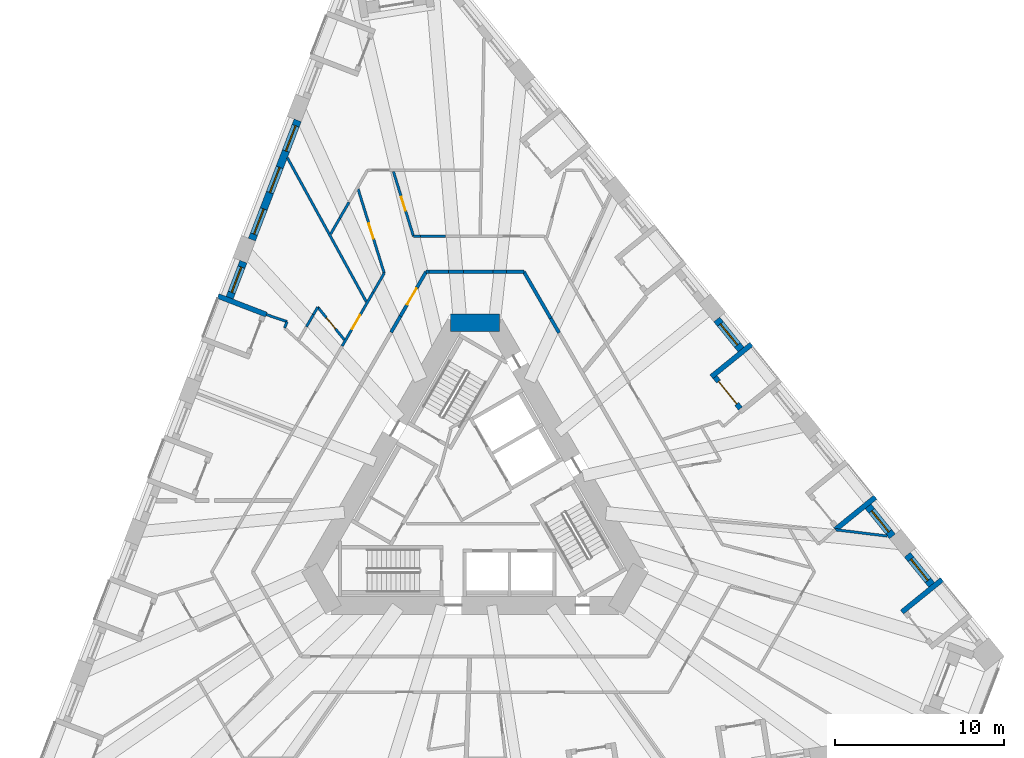
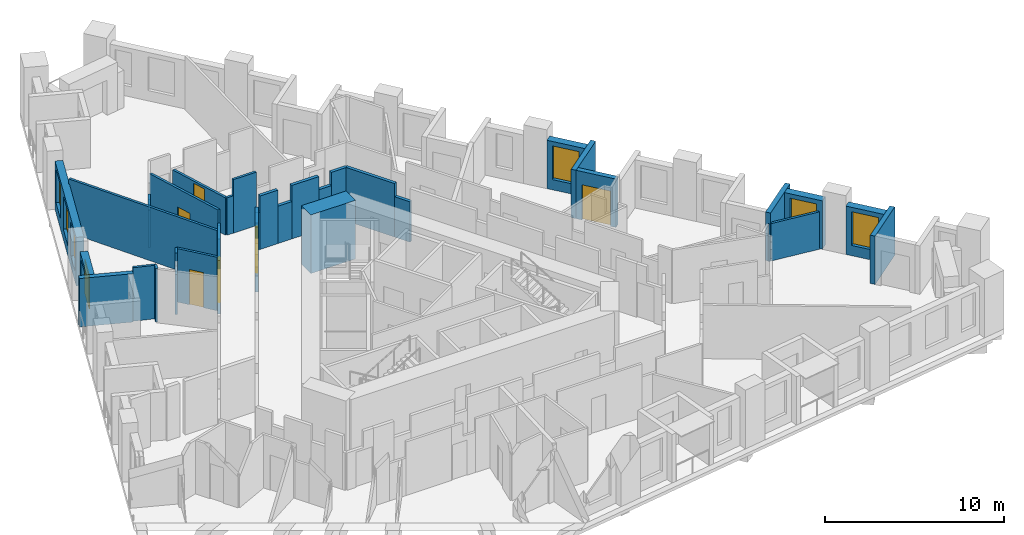
# One storey, part 8 of 14: 37 walls, 7 windows, 6 doors, 13 openings.
"""IFC4 building model written with IfcOpenShell, lengths in metres."""

from ifc_helpers import new_model, si_unit, direction, frame, frame_2d, origin, place, context, subcontext, project, spatial, rectangle, extrude, material, layer, layer_set, type_object, element, fill, save


model = new_model("IFC4")

# Units and contexts
model_context = context("Model", 3, precision=1e-05, world=origin(), true_north=direction((0.0, 1.0)))
body_context = subcontext(model_context, "Body", "Model", "MODEL_VIEW")
ifc_project = project(units=[si_unit("LENGTHUNIT", "METRE"), si_unit("AREAUNIT", "SQUARE_METRE"), si_unit("VOLUMEUNIT", "CUBIC_METRE"), si_unit("PLANEANGLEUNIT", "RADIAN"), si_unit("MASSUNIT", "GRAM", prefix="KILO")], contexts=[model_context])

# Site, building, storey
site_placement = place(None, origin())
site = spatial("IfcSite", under=ifc_project, at=site_placement, CompositionType="ELEMENT")
building_placement = place(site_placement, origin())
building = spatial("IfcBuilding", under=site, at=building_placement, Name="Tramontana Tower", CompositionType="ELEMENT")
storey_placement = place(building_placement, frame((0.0, 0.0, 71.199951171875)))
storey = spatial("IfcBuildingStorey", under=building, at=storey_placement, Name="L15", CompositionType="ELEMENT", Elevation=71.199951171875)

# Walls
ifc_material_1 = material(Name="Concrete 70 MPa", Category="concrete")
ifc_layer_1 = layer(ifc_material_1, 1.050048828125)
ifc_layer_set_1 = layer_set([ifc_layer_1], Name="Core wall 1050 70 MPa")
wall_type_1 = type_object("IfcWallType", Name="Core wall 1050 70 MPa", PredefinedType="SHEAR", material=ifc_layer_set_1)
wall_1_placement = place(storey_placement, frame((1.443359375, 10.47509765625, 0.0), z_axis=(0.0, 0.0, 1.0), x_axis=(-1.0, 0.0, 0.0)))
element("IfcWall", 1, at=wall_1_placement, inside=storey, type_object=wall_type_1, Name="Core wall C0 L15", PredefinedType="SHEAR", context=body_context, shape_type="SweptSolid", body=[
    extrude(rectangle(XDim=2.88671875, YDim=1.050048828125, at=frame_2d((1.443359375, 0.0))), origin(), (0.0, 0.0, 1.0), 4.0),
])
ifc_material_2 = material(Name="Blockwork", Category="masonry")
ifc_layer_2 = layer(ifc_material_2, 0.199951171875)
ifc_layer_set_2 = layer_set([ifc_layer_2], Name="ENTRY WALL 200")
wall_type_2 = type_object("IfcWallType", Name="ENTRY WALL 200", PredefinedType="SOLIDWALL", material=ifc_layer_set_2)
wall_2_placement = place(storey_placement, frame((2.88671875, 13.5, 0.0), z_axis=(0.0, 0.0, 1.0), x_axis=(0.50003154259, -0.866007191896, 0.0)))
element("IfcWall", 2, at=wall_2_placement, inside=storey, type_object=wall_type_2, Name="Wall v11-ew0-0", PredefinedType="SOLIDWALL", context=body_context, shape_type="SweptSolid", body=[
    extrude(rectangle(XDim=3.190673828125, YDim=0.199951171875, at=frame_2d((1.59521484375, 0.0))), origin(), (0.0, 0.0, 1.0), 3.650146484375),
])
wall_3_placement = place(storey_placement, frame((4.482177734375, 10.73681640625, 0.0), z_axis=(0.0, 0.0, 1.0), x_axis=(0.499966601515, -0.86604468555, 0.0)))
element("IfcWall", 3, at=wall_3_placement, inside=storey, type_object=wall_type_2, Name="Wall v11-ew0-1", PredefinedType="SOLIDWALL", context=body_context, shape_type="SweptSolid", body=[
    extrude(rectangle(XDim=0.98095703125, YDim=0.199951171875, at=frame_2d((0.490478515625, 0.0))), origin(), (0.0, 0.0, 1.0), 2.75),
])
wall_4_placement = place(storey_placement, frame((-4.95751953125, 9.913330078125, 0.0), z_axis=(0.0, 0.0, 1.0), x_axis=(0.499951133605, 0.866053614973, 0.0)))
element("IfcWall", 4, at=wall_4_placement, inside=storey, type_object=wall_type_2, Name="Wall v11-ew4-7", PredefinedType="SOLIDWALL", context=body_context, shape_type="SweptSolid", body=[
    extrude(rectangle(XDim=1.10888671875, YDim=0.199951171875, at=frame_2d((0.554443359375, 0.0))), origin(), (0.0, 0.0, 1.0), 2.550048828125),
])

# Wall, opening, door
wall_5_placement = place(storey_placement, frame((-4.403076171875, 10.873779296875, 0.0), z_axis=(0.0, 0.0, 1.0), x_axis=(0.500059920742, 0.865990805764, 0.0)))
wall_5 = element("IfcWall", 5, at=wall_5_placement, inside=storey, type_object=wall_type_2, Name="Wall v11-ew4-8", PredefinedType="SOLIDWALL", context=body_context, shape_type="SweptSolid", body=[
    extrude(rectangle(XDim=1.962158203125, YDim=0.199951171875, at=frame_2d((0.98095703125, 0.0))), origin(), (0.0, 0.0, 1.0), 3.650146484375),
])
opening_1_placement = place(wall_5_placement, frame((0.789306640625, 0.0, 0.0)))
opening_1 = element("IfcOpeningElement", 6, at=opening_1_placement, cuts=wall_5, Name="Opening B1B-29", PredefinedType="OPENING", context=body_context, shape_type="SweptSolid", body=[
    extrude(rectangle(XDim=1.10009765625, YDim=2.39990234375, at=frame_2d((0.550048828125, 1.199951171875))), frame((0.0, 0.10986328125, 0.0), z_axis=(0.0, -1.0, 0.0), x_axis=(1.0, 0.0, 0.0)), (0.0, 0.0, 1.0), 0.219970703125),
])
ifc_material_3 = material(Name="Painted timber", Category="wood")
door_type_1 = type_object("IfcDoorType", Name="DOOR ENTRY 1100", OperationType="SINGLE_SWING_LEFT", PredefinedType="DOOR", material=ifc_material_3)
door_1_placement = place(opening_1_placement, origin())
door_1 = element("IfcDoor", 7, at=door_1_placement, inside=storey, type_object=door_type_1, Name="Door B1B-29", OperationType="SINGLE_SWING_LEFT", OverallHeight=2.39990234375, OverallWidth=1.10009765625, PredefinedType="DOOR", context=body_context, shape_type="SweptSolid", body=[
    extrude(rectangle(XDim=1.10009765625, YDim=2.39990234375, at=frame_2d((0.550048828125, 1.199951171875))), frame((0.0, 0.02490234375, 0.0), z_axis=(0.0, -1.0, 0.0), x_axis=(1.0, 0.0, 0.0)), (0.0, 0.0, 1.0), 0.050048828125),
])
fill(opening_1, door_1)

# Walls
wall_6_placement = place(storey_placement, frame((-3.421875, 12.572998046875, 0.0), z_axis=(0.0, 0.0, 1.0), x_axis=(0.49996596245, 0.866045054481, 0.0)))
element("IfcWall", 8, at=wall_6_placement, inside=storey, type_object=wall_type_2, Name="Wall v11-ew4-9", PredefinedType="SOLIDWALL", context=body_context, shape_type="SweptSolid", body=[
    extrude(rectangle(XDim=1.0703125, YDim=0.199951171875, at=frame_2d((0.53515625, 0.0))), origin(), (0.0, 0.0, 1.0), 2.550048828125),
])
wall_7_placement = place(storey_placement, frame((-2.88671875, 13.5, 0.0), z_axis=(0.0, 0.0, 1.0), x_axis=(1.0, 0.0, 0.0)))
element("IfcWall", 9, at=wall_7_placement, inside=storey, type_object=wall_type_2, Name="Wall v11-ew5-0", PredefinedType="SOLIDWALL", context=body_context, shape_type="SweptSolid", body=[
    extrude(rectangle(XDim=0.171142578125, YDim=0.199951171875, at=frame_2d((0.08544921875, 0.0))), origin(), (0.0, 0.0, 1.0), 2.550048828125),
])
wall_8_placement = place(storey_placement, frame((-2.715576171875, 13.5, 0.0), z_axis=(0.0, 0.0, 1.0), x_axis=(1.0, 0.0, 0.0)))
element("IfcWall", 10, at=wall_8_placement, inside=storey, type_object=wall_type_2, Name="Wall v11-ew5-1", PredefinedType="SOLIDWALL", context=body_context, shape_type="SweptSolid", body=[
    extrude(rectangle(XDim=1.141357421875, YDim=0.199951171875, at=frame_2d((0.57080078125, 0.0))), origin(), (0.0, 0.0, 1.0), 3.650146484375),
])
wall_9_placement = place(storey_placement, frame((-1.57421875, 13.5, 0.0), z_axis=(0.0, 0.0, 1.0), x_axis=(1.0, 0.0, 0.0)))
element("IfcWall", 11, at=wall_9_placement, inside=storey, type_object=wall_type_2, Name="Wall v11-ew5-2", PredefinedType="SOLIDWALL", context=body_context, shape_type="SweptSolid", body=[
    extrude(rectangle(XDim=0.903076171875, YDim=0.199951171875, at=frame_2d((0.45166015625, 0.0))), origin(), (0.0, 0.0, 1.0), 2.550048828125),
])
wall_10_placement = place(storey_placement, frame((-0.671142578125, 13.5, 0.0), z_axis=(0.0, 0.0, 1.0), x_axis=(1.0, 0.0, 0.0)))
element("IfcWall", 12, at=wall_10_placement, inside=storey, type_object=wall_type_2, Name="Wall v11-ew5-3", PredefinedType="SOLIDWALL", context=body_context, shape_type="SweptSolid", body=[
    extrude(rectangle(XDim=1.745361328125, YDim=0.199951171875, at=frame_2d((0.87255859375, 0.0))), origin(), (0.0, 0.0, 1.0), 3.650146484375),
])
wall_11_placement = place(storey_placement, frame((1.07421875, 13.5, 0.0), z_axis=(0.0, 0.0, 1.0), x_axis=(1.0, 0.0, 0.0)))
element("IfcWall", 13, at=wall_11_placement, inside=storey, type_object=wall_type_2, Name="Wall v11-ew5-4", PredefinedType="SOLIDWALL", context=body_context, shape_type="SweptSolid", body=[
    extrude(rectangle(XDim=0.804931640625, YDim=0.199951171875, at=frame_2d((0.40234375, 0.0))), origin(), (0.0, 0.0, 1.0), 2.75),
])
wall_12_placement = place(storey_placement, frame((1.879150390625, 13.5, 0.0), z_axis=(0.0, 0.0, 1.0), x_axis=(1.0, 0.0, 0.0)))
element("IfcWall", 14, at=wall_12_placement, inside=storey, type_object=wall_type_2, Name="Wall v11-ew5-5", PredefinedType="SOLIDWALL", context=body_context, shape_type="SweptSolid", body=[
    extrude(rectangle(XDim=1.007568359375, YDim=0.199951171875, at=frame_2d((0.50390625, 0.0))), origin(), (0.0, 0.0, 1.0), 3.650146484375),
])

# Wall, openings, windows
ifc_material_4 = material(Name="Precast concrete 60 MPa", Category="concrete")
ifc_layer_3 = layer(ifc_material_4, 0.449951171875)
ifc_layer_set_3 = layer_set([ifc_layer_3], Name="Precast concrete 60 MPa, 450 mm")
wall_type_3 = type_object("IfcWallType", Name="EW1 Stone-faced precast wall 450", PredefinedType="SOLIDWALL", material=ifc_layer_set_3)
wall_13_placement = place(storey_placement, frame((-10.47802734375, 22.443603515625, 0.0), z_axis=(0.0, 0.0, 1.0), x_axis=(-0.358339674384, -0.933591279823, 0.0)))
wall_13 = element("IfcWall", 15, at=wall_13_placement, inside=storey, type_object=wall_type_3, Name="External wall L15 face 0 bay 2", PredefinedType="SOLIDWALL", context=body_context, shape_type="SweptSolid", body=[
    extrude(rectangle(XDim=7.548828125, YDim=0.449951171875, at=frame_2d((3.7744140625, 0.0))), origin(), (0.0, 0.0, 1.0), 3.300048828125),
])
opening_2_placement = place(wall_13_placement, frame((0.341552734375, 0.0, 0.699951171875)))
opening_2 = element("IfcOpeningElement", 16, at=opening_2_placement, cuts=wall_13, Name="Opening M1", PredefinedType="OPENING", context=body_context, shape_type="SweptSolid", body=[
    extrude(rectangle(XDim=1.60009765625, YDim=2.300048828125, at=frame_2d((0.800048828125, 1.14990234375))), frame((0.0, 0.23486328125, 0.0), z_axis=(0.0, -1.0, 0.0), x_axis=(1.0, 0.0, 0.0)), (0.0, 0.0, 1.0), 0.469970703125),
])
opening_3_placement = place(wall_13_placement, frame((2.974365234375, 0.0, 0.699951171875)))
opening_3 = element("IfcOpeningElement", 17, at=opening_3_placement, cuts=wall_13, Name="Opening M1", PredefinedType="OPENING", context=body_context, shape_type="SweptSolid", body=[
    extrude(rectangle(XDim=1.60009765625, YDim=2.300048828125, at=frame_2d((0.800048828125, 1.14990234375))), frame((0.0, 0.23486328125, 0.0), z_axis=(0.0, -1.0, 0.0), x_axis=(1.0, 0.0, 0.0)), (0.0, 0.0, 1.0), 0.469970703125),
])
opening_4_placement = place(wall_13_placement, frame((5.607421875, 0.0, 0.699951171875)))
opening_4 = element("IfcOpeningElement", 18, at=opening_4_placement, cuts=wall_13, Name="Opening M1", PredefinedType="OPENING", context=body_context, shape_type="SweptSolid", body=[
    extrude(rectangle(XDim=1.60009765625, YDim=2.300048828125, at=frame_2d((0.800048828125, 1.14990234375))), frame((0.0, 0.23486328125, 0.0), z_axis=(0.0, -1.0, 0.0), x_axis=(1.0, 0.0, 0.0)), (0.0, 0.0, 1.0), 0.469970703125),
])
ifc_material_5 = material(Name="Aluminum frame, double glazing unit", Category="aluminium")
window_type = type_object("IfcWindowType", Name="M1 Window 1.6 x 2.3", PartitioningType="SINGLE_PANEL", PredefinedType="WINDOW", material=ifc_material_5)
window_1_placement = place(opening_2_placement, origin())
window_1 = element("IfcWindow", 19, at=window_1_placement, inside=storey, type_object=window_type, Name="Window M1 L15 face 0 module 4", OverallHeight=2.300048828125, OverallWidth=1.60009765625, PartitioningType="SINGLE_PANEL", PredefinedType="WINDOW", context=body_context, shape_type="SweptSolid", body=[
    extrude(rectangle(XDim=1.60009765625, YDim=2.300048828125, at=frame_2d((0.800048828125, 1.14990234375))), frame((0.0, 0.030029296875, 0.0), z_axis=(0.0, -1.0, 0.0), x_axis=(1.0, 0.0, 0.0)), (0.0, 0.0, 1.0), 0.06005859375),
])
fill(opening_2, window_1)
window_2_placement = place(opening_3_placement, origin())
window_2 = element("IfcWindow", 20, at=window_2_placement, inside=storey, type_object=window_type, Name="Window M1 L15 face 0 module 5", OverallHeight=2.300048828125, OverallWidth=1.60009765625, PartitioningType="SINGLE_PANEL", PredefinedType="WINDOW", context=body_context, shape_type="SweptSolid", body=[
    extrude(rectangle(XDim=1.60009765625, YDim=2.300048828125, at=frame_2d((0.800048828125, 1.14990234375))), frame((0.0, 0.030029296875, 0.0), z_axis=(0.0, -1.0, 0.0), x_axis=(1.0, 0.0, 0.0)), (0.0, 0.0, 1.0), 0.06005859375),
])
fill(opening_3, window_2)
window_3_placement = place(opening_4_placement, origin())
window_3 = element("IfcWindow", 21, at=window_3_placement, inside=storey, type_object=window_type, Name="Window M1 L15 face 0 module 6", OverallHeight=2.300048828125, OverallWidth=1.60009765625, PartitioningType="SINGLE_PANEL", PredefinedType="WINDOW", context=body_context, shape_type="SweptSolid", body=[
    extrude(rectangle(XDim=1.60009765625, YDim=2.300048828125, at=frame_2d((0.800048828125, 1.14990234375))), frame((0.0, 0.030029296875, 0.0), z_axis=(0.0, -1.0, 0.0), x_axis=(1.0, 0.0, 0.0)), (0.0, 0.0, 1.0), 0.06005859375),
])
fill(opening_4, window_3)

# Wall, opening, window
wall_14_placement = place(storey_placement, frame((-13.684814453125, 14.0888671875, 0.0), z_axis=(0.0, 0.0, 1.0), x_axis=(-0.35844875217, -0.933549405264, 0.0)))
wall_14 = element("IfcWall", 22, at=wall_14_placement, inside=storey, type_object=wall_type_3, Name="External wall L15 face 0 bay 3", PredefinedType="SOLIDWALL", context=body_context, shape_type="SweptSolid", body=[
    extrude(rectangle(XDim=2.282958984375, YDim=0.449951171875, at=frame_2d((1.1416015625, 0.0))), origin(), (0.0, 0.0, 1.0), 3.300048828125),
])
opening_5_placement = place(wall_14_placement, frame((0.341552734375, 0.0, 0.699951171875)))
opening_5 = element("IfcOpeningElement", 23, at=opening_5_placement, cuts=wall_14, Name="Opening M1", PredefinedType="OPENING", context=body_context, shape_type="SweptSolid", body=[
    extrude(rectangle(XDim=1.60009765625, YDim=2.300048828125, at=frame_2d((0.800048828125, 1.14990234375))), frame((0.0, 0.23486328125, 0.0), z_axis=(0.0, -1.0, 0.0), x_axis=(1.0, 0.0, 0.0)), (0.0, 0.0, 1.0), 0.469970703125),
])
window_4_placement = place(opening_5_placement, origin())
window_4 = element("IfcWindow", 24, at=window_4_placement, inside=storey, type_object=window_type, Name="Window M1 L15 face 0 module 7", OverallHeight=2.300048828125, OverallWidth=1.60009765625, PartitioningType="SINGLE_PANEL", PredefinedType="WINDOW", context=body_context, shape_type="SweptSolid", body=[
    extrude(rectangle(XDim=1.60009765625, YDim=2.300048828125, at=frame_2d((0.800048828125, 1.14990234375))), frame((0.0, 0.030029296875, 0.0), z_axis=(0.0, -1.0, 0.0), x_axis=(1.0, 0.0, 0.0)), (0.0, 0.0, 1.0), 0.06005859375),
])
fill(opening_5, window_4)

wall_15_placement = place(storey_placement, frame((26.993408203125, -5.009765625, 0.0), z_axis=(0.0, 0.0, 1.0), x_axis=(-0.629339730135, 0.777130300576, 0.0)))
wall_15 = element("IfcWall", 25, at=wall_15_placement, inside=storey, type_object=wall_type_3, Name="External wall L15 face 2 bay 1", PredefinedType="SOLIDWALL", context=body_context, shape_type="SweptSolid", body=[
    extrude(rectangle(XDim=2.282958984375, YDim=0.449951171875, at=frame_2d((1.1416015625, 0.0))), origin(), (0.0, 0.0, 1.0), 3.300048828125),
])
opening_6_placement = place(wall_15_placement, frame((0.341552734375, 0.0, 0.699951171875)))
opening_6 = element("IfcOpeningElement", 26, at=opening_6_placement, cuts=wall_15, Name="Opening M1", PredefinedType="OPENING", context=body_context, shape_type="SweptSolid", body=[
    extrude(rectangle(XDim=1.60009765625, YDim=2.300048828125, at=frame_2d((0.800048828125, 1.14990234375))), frame((0.0, 0.23486328125, 0.0), z_axis=(0.0, -1.0, 0.0), x_axis=(1.0, 0.0, 0.0)), (0.0, 0.0, 1.0), 0.469970703125),
])
window_5_placement = place(opening_6_placement, origin())
window_5 = element("IfcWindow", 27, at=window_5_placement, inside=storey, type_object=window_type, Name="Window M1 L15 face 2 module 3", OverallHeight=2.300048828125, OverallWidth=1.60009765625, PartitioningType="SINGLE_PANEL", PredefinedType="WINDOW", context=body_context, shape_type="SweptSolid", body=[
    extrude(rectangle(XDim=1.60009765625, YDim=2.300048828125, at=frame_2d((0.800048828125, 1.14990234375))), frame((0.0, 0.030029296875, 0.0), z_axis=(0.0, -1.0, 0.0), x_axis=(1.0, 0.0, 0.0)), (0.0, 0.0, 1.0), 0.06005859375),
])
fill(opening_6, window_5)

wall_16_placement = place(storey_placement, frame((24.675537109375, -2.147705078125, 0.0), z_axis=(0.0, 0.0, 1.0), x_axis=(-0.629287431131, 0.777172650716, 0.0)))
wall_16 = element("IfcWall", 28, at=wall_16_placement, inside=storey, type_object=wall_type_3, Name="External wall L15 face 2 bay 2", PredefinedType="SOLIDWALL", context=body_context, shape_type="SweptSolid", body=[
    extrude(rectangle(XDim=2.283203125, YDim=0.449951171875, at=frame_2d((1.1416015625, 0.0))), origin(), (0.0, 0.0, 1.0), 3.300048828125),
])
opening_7_placement = place(wall_16_placement, frame((0.341552734375, 0.0, 0.699951171875)))
opening_7 = element("IfcOpeningElement", 29, at=opening_7_placement, cuts=wall_16, Name="Opening M1", PredefinedType="OPENING", context=body_context, shape_type="SweptSolid", body=[
    extrude(rectangle(XDim=1.60009765625, YDim=2.300048828125, at=frame_2d((0.800048828125, 1.14990234375))), frame((0.0, 0.23486328125, 0.0), z_axis=(0.0, -1.0, 0.0), x_axis=(1.0, 0.0, 0.0)), (0.0, 0.0, 1.0), 0.469970703125),
])
window_6_placement = place(opening_7_placement, origin())
window_6 = element("IfcWindow", 30, at=window_6_placement, inside=storey, type_object=window_type, Name="Window M1 L15 face 2 module 4", OverallHeight=2.300048828125, OverallWidth=1.60009765625, PartitioningType="SINGLE_PANEL", PredefinedType="WINDOW", context=body_context, shape_type="SweptSolid", body=[
    extrude(rectangle(XDim=1.60009765625, YDim=2.300048828125, at=frame_2d((0.800048828125, 1.14990234375))), frame((0.0, 0.030029296875, 0.0), z_axis=(0.0, -1.0, 0.0), x_axis=(1.0, 0.0, 0.0)), (0.0, 0.0, 1.0), 0.06005859375),
])
fill(opening_7, window_6)

wall_17_placement = place(storey_placement, frame((15.72998046875, 8.8994140625, 0.0), z_axis=(0.0, 0.0, 1.0), x_axis=(-0.629339730135, 0.777130300576, 0.0)))
wall_17 = element("IfcWall", 31, at=wall_17_placement, inside=storey, type_object=wall_type_3, Name="External wall L15 face 2 bay 3", PredefinedType="SOLIDWALL", context=body_context, shape_type="SweptSolid", body=[
    extrude(rectangle(XDim=2.282958984375, YDim=0.449951171875, at=frame_2d((1.1416015625, 0.0))), origin(), (0.0, 0.0, 1.0), 3.300048828125),
])
opening_8_placement = place(wall_17_placement, frame((0.341552734375, 0.0, 0.699951171875)))
opening_8 = element("IfcOpeningElement", 32, at=opening_8_placement, cuts=wall_17, Name="Opening M1", PredefinedType="OPENING", context=body_context, shape_type="SweptSolid", body=[
    extrude(rectangle(XDim=1.60009765625, YDim=2.300048828125, at=frame_2d((0.800048828125, 1.14990234375))), frame((0.0, 0.23486328125, 0.0), z_axis=(0.0, -1.0, 0.0), x_axis=(1.0, 0.0, 0.0)), (0.0, 0.0, 1.0), 0.469970703125),
])
window_7_placement = place(opening_8_placement, origin())
window_7 = element("IfcWindow", 33, at=window_7_placement, inside=storey, type_object=window_type, Name="Window M1 L15 face 2 module 9", OverallHeight=2.300048828125, OverallWidth=1.60009765625, PartitioningType="SINGLE_PANEL", PredefinedType="WINDOW", context=body_context, shape_type="SweptSolid", body=[
    extrude(rectangle(XDim=1.60009765625, YDim=2.300048828125, at=frame_2d((0.800048828125, 1.14990234375))), frame((0.0, 0.030029296875, 0.0), z_axis=(0.0, -1.0, 0.0), x_axis=(1.0, 0.0, 0.0)), (0.0, 0.0, 1.0), 0.06005859375),
])
fill(opening_8, window_7)

# Walls
ifc_material_6 = material(Name="Precast concrete 60 MPa", Category="concrete")
ifc_layer_4 = layer(ifc_material_6, 0.300048828125)
ifc_layer_set_4 = layer_set([ifc_layer_4], Name="LW1 Stone-faced loggia wall 300")
wall_type_4 = type_object("IfcWallType", Name="LW1 Stone-faced loggia wall 300", PredefinedType="SOLIDWALL", material=ifc_layer_set_4)
for number, where, z_axis, x_axis, name in (
    (34, (-15.18701171875, 12.0595703125, 0.0), (0.0, 0.0, 1.0), (0.933580593625, -0.358367514161, 0.0), "Loggia return L15 G1S0.7a"),
    (35, (27.6123046875, -4.70166015625, 0.0), (0.0, 0.0, 1.0), (-0.777153523895, -0.629311052102, 0.0), "Loggia return L15 G1S2.1b"),
):
    element("IfcWall", number, at=place(storey_placement, frame(where, z_axis=z_axis, x_axis=x_axis)), inside=storey, type_object=wall_type_4, Name=name, PredefinedType="SOLIDWALL", context=body_context, shape_type="SweptSolid", body=[
        extrude(rectangle(XDim=3.050048828125, YDim=0.300048828125, at=frame_2d((1.52490234375, 0.0))), origin(), (0.0, 0.0, 1.0), 3.300048828125),
    ])
wall_18_placement = place(storey_placement, frame((23.6689453125, 0.16796875, 0.0), z_axis=(0.0, 0.0, 1.0), x_axis=(-0.777121820661, -0.629350201281, 0.0)))
element("IfcWall", 36, at=wall_18_placement, inside=storey, type_object=wall_type_4, Name="Loggia return L15 G1S2.4a", PredefinedType="SOLIDWALL", context=body_context, shape_type="SweptSolid", body=[
    extrude(rectangle(XDim=3.0498046875, YDim=0.300048828125, at=frame_2d((1.52490234375, 0.0))), origin(), (0.0, 0.0, 1.0), 3.300048828125),
])

# Wall, opening, door
wall_19_placement = place(storey_placement, frame((15.689208984375, 5.4140625, 0.0), z_axis=(0.0, 0.0, 1.0), x_axis=(-0.629319049918, 0.777147047482, 0.0)))
wall_19 = element("IfcWall", 37, at=wall_19_placement, inside=storey, type_object=wall_type_4, Name="Loggia wall L15 G1S2.7", PredefinedType="SOLIDWALL", context=body_context, shape_type="SweptSolid", body=[
    extrude(rectangle(XDim=2.383056640625, YDim=0.300048828125, at=frame_2d((1.19140625, 0.0))), origin(), (0.0, 0.0, 1.0), 3.300048828125),
])
opening_9_placement = place(wall_19_placement, frame((0.341552734375, 0.0, 0.0)))
opening_9 = element("IfcOpeningElement", 38, at=opening_9_placement, cuts=wall_19, Name="Opening BD-1S2-07", PredefinedType="OPENING", context=body_context, shape_type="SweptSolid", body=[
    extrude(rectangle(XDim=1.699951171875, YDim=2.39990234375, at=frame_2d((0.85009765625, 1.199951171875))), frame((0.0, 0.159912109375, 0.0), z_axis=(0.0, -1.0, 0.0), x_axis=(1.0, 0.0, 0.0)), (0.0, 0.0, 1.0), 0.320068359375),
])
ifc_material_7 = material(Name="Aluminum frame, double glazing unit", Category="aluminium")
door_type_2 = type_object("IfcDoorType", Name="BD1 Sliding door 1.7 x 2.4", OperationType="SLIDING_TO_LEFT", PredefinedType="DOOR", material=ifc_material_7)
door_2_placement = place(opening_9_placement, origin())
door_2 = element("IfcDoor", 39, at=door_2_placement, inside=storey, type_object=door_type_2, Name="Loggia door L15 G1S2.7", OperationType="SLIDING_TO_LEFT", OverallHeight=2.39990234375, OverallWidth=1.699951171875, PredefinedType="DOOR", context=body_context, shape_type="SweptSolid", body=[
    extrude(rectangle(XDim=1.699951171875, YDim=2.39990234375, at=frame_2d((0.85009765625, 1.199951171875))), frame((0.0, 0.02490234375, 0.0), z_axis=(0.0, -1.0, 0.0), x_axis=(1.0, 0.0, 0.0)), (0.0, 0.0, 1.0), 0.050048828125),
])
fill(opening_9, door_2)

# Wall
wall_20_placement = place(storey_placement, frame((16.348876953125, 9.207763671875, 0.0), z_axis=(0.0, 0.0, 1.0), x_axis=(-0.777153523895, -0.629311052102, 0.0)))
element("IfcWall", 40, at=wall_20_placement, inside=storey, type_object=wall_type_4, Name="Loggia return L15 G1S2.7b", PredefinedType="SOLIDWALL", context=body_context, shape_type="SweptSolid", body=[
    extrude(rectangle(XDim=3.050048828125, YDim=0.300048828125, at=frame_2d((1.52490234375, 0.0))), origin(), (0.0, 0.0, 1.0), 3.300048828125),
])

# Wall, opening, door
ifc_material_8 = material(Name="Gypsum board partition")
ifc_layer_5 = layer(ifc_material_8, 0.14990234375)
ifc_layer_set_5 = layer_set([ifc_layer_5], Name="PARTITION 150")
wall_type_5 = type_object("IfcWallType", Name="PARTITION 150", PredefinedType="PARTITIONING", material=ifc_layer_set_5)
wall_21_placement = place(storey_placement, frame((-7.85107421875, 9.1015625, 0.0), z_axis=(0.0, 0.0, 1.0), x_axis=(0.500002145574, 0.866024165033, 0.0)))
wall_21 = element("IfcWall", 41, at=wall_21_placement, inside=storey, type_object=wall_type_5, Name="Wall v11-pw05-6", PredefinedType="PARTITIONING", context=body_context, shape_type="SweptSolid", body=[
    extrude(rectangle(XDim=3.67724609375, YDim=0.14990234375, at=frame_2d((1.838623046875, 0.0))), origin(), (0.0, 0.0, 1.0), 3.650146484375),
])
opening_10_placement = place(wall_21_placement, frame((1.174072265625, 0.0, 0.0)))
opening_10 = element("IfcOpeningElement", 42, at=opening_10_placement, cuts=wall_21, Name="Opening B1B-06", PredefinedType="OPENING", context=body_context, shape_type="SweptSolid", body=[
    extrude(rectangle(XDim=0.949951171875, YDim=2.39990234375, at=frame_2d((0.47509765625, 1.199951171875))), frame((0.0, 0.0849609375, 0.0), z_axis=(0.0, -1.0, 0.0), x_axis=(1.0, 0.0, 0.0)), (0.0, 0.0, 1.0), 0.169921875),
])
ifc_material_9 = material(Name="Painted timber", Category="wood")
door_type_3 = type_object("IfcDoorType", Name="DOOR ROOM 950", OperationType="SINGLE_SWING_LEFT", PredefinedType="DOOR", material=ifc_material_9)
door_3_placement = place(opening_10_placement, origin())
door_3 = element("IfcDoor", 43, at=door_3_placement, inside=storey, type_object=door_type_3, Name="Door B1B-06", OperationType="SINGLE_SWING_RIGHT", OverallHeight=2.39990234375, OverallWidth=0.949951171875, PredefinedType="DOOR", context=body_context, shape_type="SweptSolid", body=[
    extrude(rectangle(XDim=0.949951171875, YDim=2.39990234375, at=frame_2d((0.47509765625, 1.199951171875))), frame((0.0, 0.02490234375, 0.0), z_axis=(0.0, -1.0, 0.0), x_axis=(1.0, 0.0, 0.0)), (0.0, 0.0, 1.0), 0.050048828125),
])
fill(opening_10, door_3)

# Walls
wall_22_placement = place(storey_placement, frame((-6.012451171875, 12.2861328125, 0.0), z_axis=(0.0, 0.0, 1.0), x_axis=(0.49996696679, 0.866044474677, 0.0)))
element("IfcWall", 44, at=wall_22_placement, inside=storey, type_object=wall_type_5, Name="Wall v11-pw05-7", PredefinedType="PARTITIONING", context=body_context, shape_type="SweptSolid", body=[
    extrude(rectangle(XDim=1.29638671875, YDim=0.14990234375, at=frame_2d((0.648193359375, 0.0))), origin(), (0.0, 0.0, 1.0), 2.550048828125),
])
wall_23_placement = place(storey_placement, frame((-11.251953125, 10.171875, 0.0), z_axis=(0.0, 0.0, 1.0), x_axis=(0.358733772411, 0.933439918008, 0.0)))
element("IfcWall", 45, at=wall_23_placement, inside=storey, type_object=wall_type_5, Name="Wall v11-pw13", PredefinedType="PARTITIONING", context=body_context, shape_type="SweptSolid", body=[
    extrude(rectangle(XDim=0.400146484375, YDim=0.14990234375, at=frame_2d((0.2001953125, 0.0))), origin(), (0.0, 0.0, 1.0), 3.650146484375),
])
wall_24_placement = place(storey_placement, frame((-11.109619140625, 10.548095703125, 0.0), z_axis=(0.0, 0.0, 1.0), x_axis=(-0.946710875396, 0.322084644785, 0.0)))
element("IfcWall", 46, at=wall_24_placement, inside=storey, type_object=wall_type_5, Name="Wall v11-pw14", PredefinedType="PARTITIONING", context=body_context, shape_type="SweptSolid", body=[
    extrude(rectangle(XDim=1.29931640625, YDim=0.14990234375, at=frame_2d((0.649658203125, 0.0))), origin(), (0.0, 0.0, 1.0), 3.650146484375),
])
wall_25_placement = place(storey_placement, frame((-9.960205078125, 10.24853515625, 0.0), z_axis=(0.0, 0.0, 1.0), x_axis=(0.499921960197, 0.866070455398, 0.0)))
element("IfcWall", 47, at=wall_25_placement, inside=storey, type_object=wall_type_5, Name="Wall v11-pw18-1", PredefinedType="PARTITIONING", context=body_context, shape_type="SweptSolid", body=[
    extrude(rectangle(XDim=0.812255859375, YDim=0.14990234375, at=frame_2d((0.40625, 0.0))), origin(), (0.0, 0.0, 1.0), 2.75),
])
wall_26_placement = place(storey_placement, frame((-9.55419921875, 10.951904296875, 0.0), z_axis=(0.0, 0.0, 1.0), x_axis=(0.500153222552, 0.865936922628, 0.0)))
element("IfcWall", 48, at=wall_26_placement, inside=storey, type_object=wall_type_5, Name="Wall v11-pw18-2", PredefinedType="PARTITIONING", context=body_context, shape_type="SweptSolid", body=[
    extrude(rectangle(XDim=0.523193359375, YDim=0.14990234375, at=frame_2d((0.26171875, 0.0))), origin(), (0.0, 0.0, 1.0), 3.650146484375),
])

# Wall, opening, door
wall_27_placement = place(storey_placement, frame((-7.72119140625, 9.4765625, 0.0), z_axis=(0.0, 0.0, 1.0), x_axis=(-0.631659843524, 0.775245665631, 0.0)))
wall_27 = element("IfcWall", 49, at=wall_27_placement, inside=storey, type_object=wall_type_5, Name="Wall v11-pw20", PredefinedType="PARTITIONING", context=body_context, shape_type="SweptSolid", body=[
    extrude(rectangle(XDim=2.487548828125, YDim=0.14990234375, at=frame_2d((1.24365234375, 0.0))), origin(), (0.0, 0.0, 1.0), 3.650146484375),
])
opening_11_placement = place(wall_27_placement, frame((0.81884765625, 0.0, 0.0)))
opening_11 = element("IfcOpeningElement", 50, at=opening_11_placement, cuts=wall_27, Name="Opening B1B-11", PredefinedType="OPENING", context=body_context, shape_type="SweptSolid", body=[
    extrude(rectangle(XDim=0.85009765625, YDim=2.39990234375, at=frame_2d((0.425048828125, 1.199951171875))), frame((0.0, 0.0849609375, 0.0), z_axis=(0.0, -1.0, 0.0), x_axis=(1.0, 0.0, 0.0)), (0.0, 0.0, 1.0), 0.169921875),
])
ifc_material_10 = material(Name="Painted timber", Category="wood")
door_type_4 = type_object("IfcDoorType", Name="DOOR BATH 850", OperationType="SINGLE_SWING_LEFT", PredefinedType="DOOR", material=ifc_material_10)
door_4_placement = place(opening_11_placement, origin())
door_4 = element("IfcDoor", 51, at=door_4_placement, inside=storey, type_object=door_type_4, Name="Door B1B-11", OperationType="SINGLE_SWING_LEFT", OverallHeight=2.39990234375, OverallWidth=0.85009765625, PredefinedType="DOOR", context=body_context, shape_type="SweptSolid", body=[
    extrude(rectangle(XDim=0.85009765625, YDim=2.39990234375, at=frame_2d((0.425048828125, 1.199951171875))), frame((0.0, 0.02490234375, 0.0), z_axis=(0.0, -1.0, 0.0), x_axis=(1.0, 0.0, 0.0)), (0.0, 0.0, 1.0), 0.050048828125),
])
fill(opening_11, door_4)

# Walls
wall_28_placement = place(storey_placement, frame((-8.53076171875, 15.724365234375, 0.0), z_axis=(0.0, 0.0, 1.0), x_axis=(0.499993928037, 0.866028909405, 0.0)))
element("IfcWall", 52, at=wall_28_placement, inside=storey, type_object=wall_type_5, Name="Wall v11-pw22-0", PredefinedType="PARTITIONING", context=body_context, shape_type="SweptSolid", body=[
    extrude(rectangle(XDim=1.08984375, YDim=0.14990234375, at=frame_2d((0.544921875, 0.0))), origin(), (0.0, 0.0, 1.0), 3.650146484375),
])
wall_29_placement = place(storey_placement, frame((-7.98583984375, 16.668212890625, 0.0), z_axis=(0.0, 0.0, 1.0), x_axis=(0.500107854436, 0.865963125042, 0.0)))
element("IfcWall", 53, at=wall_29_placement, inside=storey, type_object=wall_type_5, Name="Wall v11-pw22-1", PredefinedType="PARTITIONING", context=body_context, shape_type="SweptSolid", body=[
    extrude(rectangle(XDim=1.078369140625, YDim=0.14990234375, at=frame_2d((0.5390625, 0.0))), origin(), (0.0, 0.0, 1.0), 2.550048828125),
])
wall_30_placement = place(storey_placement, frame((-6.423828125, 11.723388671875, 0.0), z_axis=(0.0, 0.0, 1.0), x_axis=(-0.48054737778, 0.876968766666, 0.0)))
element("IfcWall", 54, at=wall_30_placement, inside=storey, type_object=wall_type_5, Name="Wall v11-pw24", PredefinedType="PARTITIONING", context=body_context, shape_type="SweptSolid", body=[
    extrude(rectangle(XDim=9.70166015625, YDim=0.14990234375, at=frame_2d((4.850830078125, 0.0))), origin(), (0.0, 0.0, 1.0), 3.650146484375),
])

# Wall, opening, door
wall_31_placement = place(storey_placement, frame((-5.3642578125, 13.408935546875, 0.0), z_axis=(0.0, 0.0, 1.0), x_axis=(-0.296294566298, 0.95509660767, 0.0)))
wall_31 = element("IfcWall", 55, at=wall_31_placement, inside=storey, type_object=wall_type_5, Name="Wall v11-pw26", PredefinedType="PARTITIONING", context=body_context, shape_type="SweptSolid", body=[
    extrude(rectangle(XDim=5.2099609375, YDim=0.14990234375, at=frame_2d((2.60498046875, 0.0))), origin(), (0.0, 0.0, 1.0), 3.650146484375),
])
opening_12_placement = place(wall_31_placement, frame((2.130126953125, 0.0, 0.0)))
opening_12 = element("IfcOpeningElement", 56, at=opening_12_placement, cuts=wall_31, Name="Opening B1B-01", PredefinedType="OPENING", context=body_context, shape_type="SweptSolid", body=[
    extrude(rectangle(XDim=0.949951171875, YDim=2.39990234375, at=frame_2d((0.47509765625, 1.199951171875))), frame((0.0, 0.0849609375, 0.0), z_axis=(0.0, -1.0, 0.0), x_axis=(1.0, 0.0, 0.0)), (0.0, 0.0, 1.0), 0.169921875),
])
door_5_placement = place(opening_12_placement, origin())
door_5 = element("IfcDoor", 57, at=door_5_placement, inside=storey, type_object=door_type_3, Name="Door B1B-01", OperationType="SINGLE_SWING_LEFT", OverallHeight=2.39990234375, OverallWidth=0.949951171875, PredefinedType="DOOR", context=body_context, shape_type="SweptSolid", body=[
    extrude(rectangle(XDim=0.949951171875, YDim=2.39990234375, at=frame_2d((0.47509765625, 1.199951171875))), frame((0.0, 0.02490234375, 0.0), z_axis=(0.0, -1.0, 0.0), x_axis=(1.0, 0.0, 0.0)), (0.0, 0.0, 1.0), 0.050048828125),
])
fill(opening_12, door_5)

wall_32_placement = place(storey_placement, frame((-4.822509765625, 19.425048828125, 0.0), z_axis=(0.0, 0.0, 1.0), x_axis=(0.296334021044, -0.955084366939, 0.0)))
wall_32 = element("IfcWall", 58, at=wall_32_placement, inside=storey, type_object=wall_type_5, Name="Wall v11-pw27-0", PredefinedType="PARTITIONING", context=body_context, shape_type="SweptSolid", body=[
    extrude(rectangle(XDim=4.0048828125, YDim=0.14990234375, at=frame_2d((2.00244140625, 0.0))), origin(), (0.0, 0.0, 1.0), 2.550048828125),
])
opening_13_placement = place(wall_32_placement, frame((1.577392578125, 0.0, 0.0)))
opening_13 = element("IfcOpeningElement", 59, at=opening_13_placement, cuts=wall_32, Name="Opening B1B-02", PredefinedType="OPENING", context=body_context, shape_type="SweptSolid", body=[
    extrude(rectangle(XDim=0.85009765625, YDim=2.39990234375, at=frame_2d((0.425048828125, 1.199951171875))), frame((0.0, 0.0849609375, 0.0), z_axis=(0.0, -1.0, 0.0), x_axis=(1.0, 0.0, 0.0)), (0.0, 0.0, 1.0), 0.169921875),
])
door_6_placement = place(opening_13_placement, origin())
door_6 = element("IfcDoor", 60, at=door_6_placement, inside=storey, type_object=door_type_4, Name="Door B1B-02", OperationType="SINGLE_SWING_RIGHT", OverallHeight=2.39990234375, OverallWidth=0.85009765625, PredefinedType="DOOR", context=body_context, shape_type="SweptSolid", body=[
    extrude(rectangle(XDim=0.85009765625, YDim=2.39990234375, at=frame_2d((0.425048828125, 1.199951171875))), frame((0.0, 0.02490234375, 0.0), z_axis=(0.0, -1.0, 0.0), x_axis=(1.0, 0.0, 0.0)), (0.0, 0.0, 1.0), 0.050048828125),
])
fill(opening_13, door_6)

# Walls
wall_33_placement = place(storey_placement, frame((-3.6357421875, 15.60009765625, 0.0), z_axis=(0.0, 0.0, 1.0), x_axis=(1.0, 0.0, 0.0)))
element("IfcWall", 61, at=wall_33_placement, inside=storey, type_object=wall_type_5, Name="Wall v11-pw28-0", PredefinedType="PARTITIONING", context=body_context, shape_type="SweptSolid", body=[
    extrude(rectangle(XDim=0.4130859375, YDim=0.14990234375, at=frame_2d((0.20654296875, 0.0))), origin(), (0.0, 0.0, 1.0), 2.550048828125),
])
wall_34_placement = place(storey_placement, frame((-3.22265625, 15.60009765625, 0.0), z_axis=(0.0, 0.0, 1.0), x_axis=(1.0, 0.0, 0.0)))
element("IfcWall", 62, at=wall_34_placement, inside=storey, type_object=wall_type_5, Name="Wall v11-pw28-1", PredefinedType="PARTITIONING", context=body_context, shape_type="SweptSolid", body=[
    extrude(rectangle(XDim=1.486328125, YDim=0.14990234375, at=frame_2d((0.7431640625, 0.0))), origin(), (0.0, 0.0, 1.0), 3.650146484375),
])
wall_35_placement = place(storey_placement, frame((21.298828125, -1.75146484375, 0.0), z_axis=(0.0, 0.0, 1.0), x_axis=(0.992571228933, -0.121664931241, 0.0)))
element("IfcWall", 63, at=wall_35_placement, inside=storey, type_object=wall_type_5, Name="Wall v11-pw57-0", PredefinedType="PARTITIONING", context=body_context, shape_type="SweptSolid", body=[
    extrude(rectangle(XDim=3.09423828125, YDim=0.14990234375, at=frame_2d((1.547119140625, 0.0))), origin(), (0.0, 0.0, 1.0), 2.550048828125),
])

save(model, "model.ifc")
